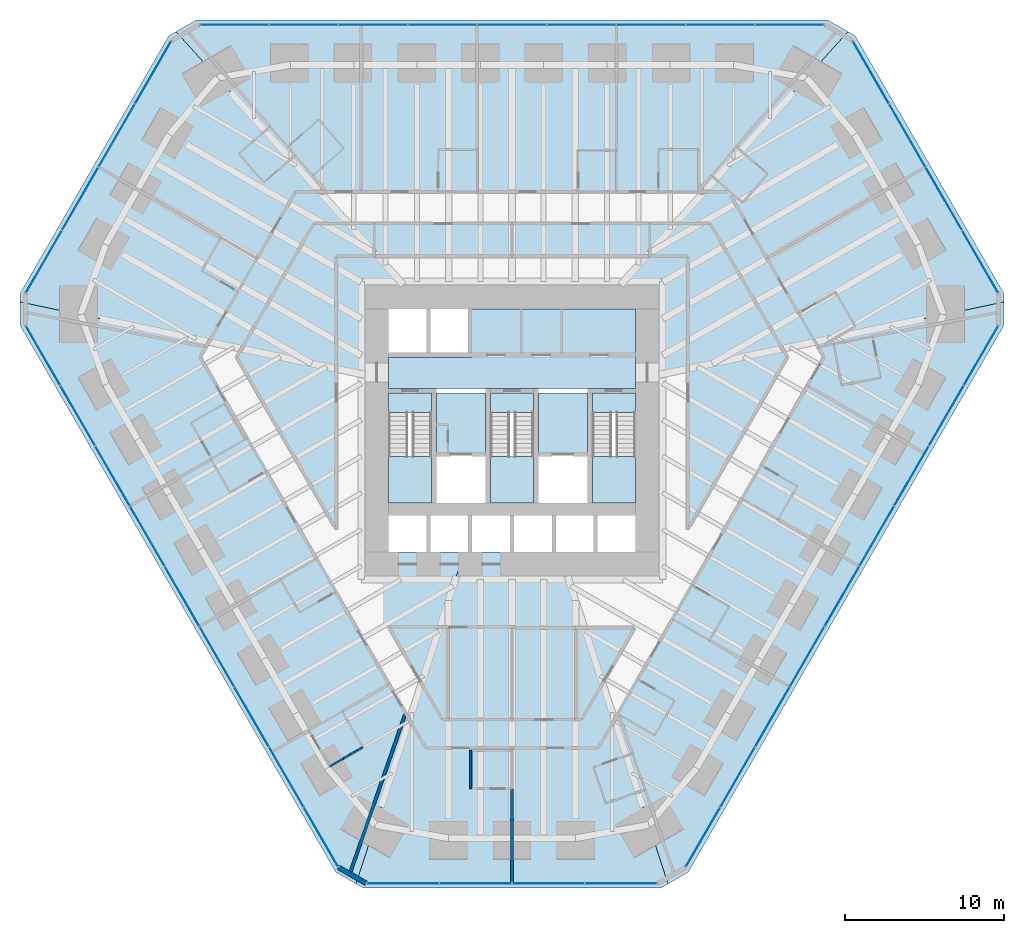
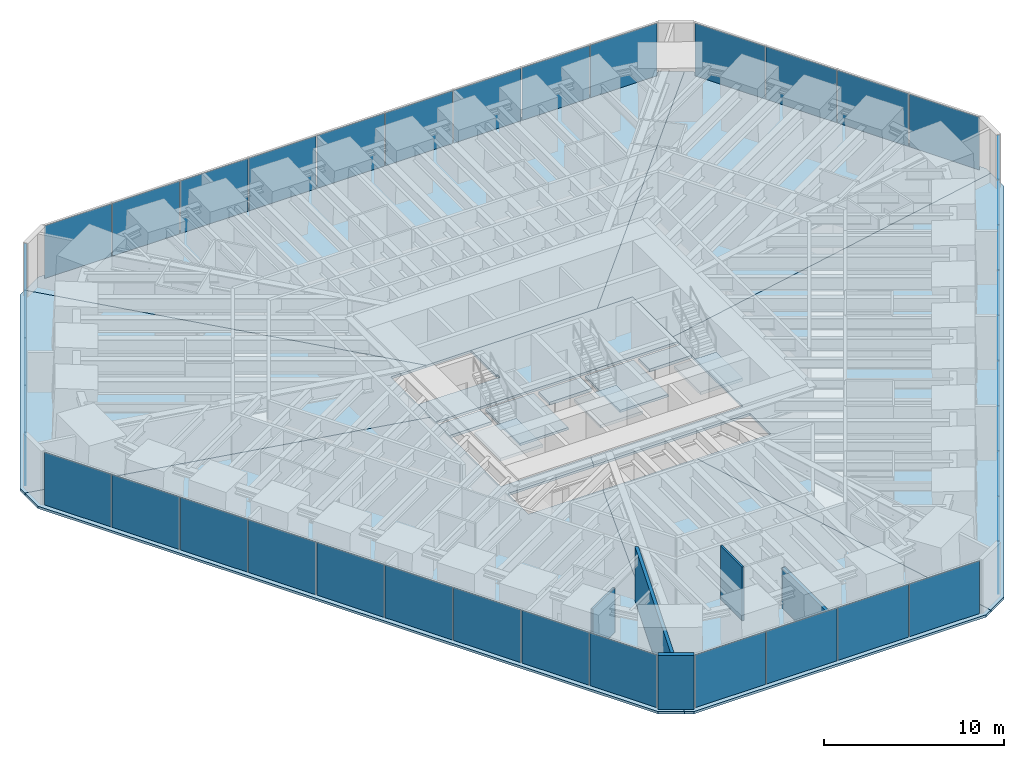
# One storey, part 10 of 17: 39 plates, 15 slabs, 5 walls, 9 elements without a shape of their own.
"""IFC4 building model written with IfcOpenShell, lengths in metres."""

from ifc_helpers import new_model, si_unit, direction, frame, frame_2d, origin, origin_2d, place, context, subcontext, project, spatial, polyline, rectangle, outline, extrude, material, layer, layer_set, type_object, element, aggregate, save


model = new_model("IFC4")

# Units and contexts
model_context = context("Model", 3, precision=1e-05, world=origin(), true_north=direction((0.0, 1.0)))
body_context = subcontext(model_context, "Body", "Model", "MODEL_VIEW")
ifc_project = project(units=[si_unit("LENGTHUNIT", "METRE"), si_unit("AREAUNIT", "SQUARE_METRE"), si_unit("VOLUMEUNIT", "CUBIC_METRE"), si_unit("PLANEANGLEUNIT", "RADIAN"), si_unit("MASSUNIT", "GRAM", prefix="KILO")], contexts=[model_context])

# Site, building, storey
site_placement = place(None, origin())
site = spatial("IfcSite", under=ifc_project, at=site_placement, CompositionType="ELEMENT")
building_placement = place(site_placement, origin())
building = spatial("IfcBuilding", under=site, at=building_placement, Name="Sandreach Pilgrim Tower", CompositionType="ELEMENT")
storey_placement = place(building_placement, frame((0.0, 0.0, 87.60009765625)))
storey = spatial("IfcBuildingStorey", under=building, at=storey_placement, Name="L21", CompositionType="ELEMENT", Elevation=87.60009765625)

# Curtain wall, plates
ifc_material_1 = material(Name="Aluminium framed curtain wall", Category="aluminium")
curtain_wall_type = type_object("IfcCurtainWallType", Name="Hostel tower curtain wall", PredefinedType="NOTDEFINED", material=ifc_material_1)
curtain_wall_1_placement = place(storey_placement, origin())
curtain_wall_1 = element("IfcCurtainWall", 1, at=curtain_wall_1_placement, inside=storey, type_object=curtain_wall_type, Name="CW-1 L21 N", PredefinedType="NOTDEFINED")
ifc_material_2 = material(Name="Insulating glass unit 6 heat-strengthened + 12 argon + 6 heat-strengthened", Category="glass")
ifc_layer_1 = layer(ifc_material_2, 0.02392578125)
ifc_layer_set_1 = layer_set([ifc_layer_1], Name="CW-1 panel")
plate_type = type_object("IfcPlateType", Name="CW-1 panel", PredefinedType="CURTAIN_PANEL", material=ifc_layer_set_1)
plate_1_placement = place(storey_placement, frame((-17.469970703125, 23.94873046875, 0.0), z_axis=(0.0, 0.0, 1.0), x_axis=(1.0, 0.0, 0.0)))
plate_1 = element("IfcPlate", 2, at=plate_1_placement, type_object=plate_type, Name="CW-1 panel 1", PredefinedType="CURTAIN_PANEL", context=body_context, shape_type="SweptSolid", body=[
    extrude(rectangle(XDim=4.274169921875, YDim=0.02392578125, at=origin_2d()), origin(), (0.0, 0.0, 1.0), 3.570068359375),
])
plate_2_placement = place(storey_placement, frame((-13.11474609375, 23.94873046875, 0.0), z_axis=(0.0, 0.0, 1.0), x_axis=(1.0, 0.0, 0.0)))
plate_2 = element("IfcPlate", 3, at=plate_2_placement, type_object=plate_type, Name="CW-1 panel 2", PredefinedType="CURTAIN_PANEL", context=body_context, shape_type="SweptSolid", body=[
    extrude(rectangle(XDim=4.306640625, YDim=0.02392578125, at=origin_2d()), origin(), (0.0, 0.0, 1.0), 3.570068359375),
])
plate_3_placement = place(storey_placement, frame((-8.7431640625, 23.94873046875, 0.0), z_axis=(0.0, 0.0, 1.0), x_axis=(1.0, 0.0, 0.0)))
plate_3 = element("IfcPlate", 4, at=plate_3_placement, type_object=plate_type, Name="CW-1 panel 3", PredefinedType="CURTAIN_PANEL", context=body_context, shape_type="SweptSolid", body=[
    extrude(rectangle(XDim=4.306640625, YDim=0.02392578125, at=origin_2d()), origin(), (0.0, 0.0, 1.0), 3.570068359375),
])
plate_4_placement = place(storey_placement, frame((-4.37158203125, 23.94873046875, 0.0), z_axis=(0.0, 0.0, 1.0), x_axis=(1.0, 0.0, 0.0)))
plate_4 = element("IfcPlate", 5, at=plate_4_placement, type_object=plate_type, Name="CW-1 panel 4", PredefinedType="CURTAIN_PANEL", context=body_context, shape_type="SweptSolid", body=[
    extrude(rectangle(XDim=4.306640625, YDim=0.02392578125, at=origin_2d()), origin(), (0.0, 0.0, 1.0), 3.570068359375),
])
plate_5_placement = place(storey_placement, frame((0.0, 23.94873046875, 0.0), z_axis=(0.0, 0.0, 1.0), x_axis=(1.0, 0.0, 0.0)))
plate_5 = element("IfcPlate", 6, at=plate_5_placement, type_object=plate_type, Name="CW-1 panel 5", PredefinedType="CURTAIN_PANEL", context=body_context, shape_type="SweptSolid", body=[
    extrude(rectangle(XDim=4.306640625, YDim=0.02392578125, at=origin_2d()), origin(), (0.0, 0.0, 1.0), 3.570068359375),
])
plate_6_placement = place(storey_placement, frame((4.37158203125, 23.94873046875, 0.0), z_axis=(0.0, 0.0, 1.0), x_axis=(1.0, 0.0, 0.0)))
plate_6 = element("IfcPlate", 7, at=plate_6_placement, type_object=plate_type, Name="CW-1 panel 6", PredefinedType="CURTAIN_PANEL", context=body_context, shape_type="SweptSolid", body=[
    extrude(rectangle(XDim=4.306640625, YDim=0.02392578125, at=origin_2d()), origin(), (0.0, 0.0, 1.0), 3.570068359375),
])
plate_7_placement = place(storey_placement, frame((8.7431640625, 23.94873046875, 0.0), z_axis=(0.0, 0.0, 1.0), x_axis=(1.0, 0.0, 0.0)))
plate_7 = element("IfcPlate", 8, at=plate_7_placement, type_object=plate_type, Name="CW-1 panel 7", PredefinedType="CURTAIN_PANEL", context=body_context, shape_type="SweptSolid", body=[
    extrude(rectangle(XDim=4.306640625, YDim=0.02392578125, at=origin_2d()), origin(), (0.0, 0.0, 1.0), 3.570068359375),
])
plate_8_placement = place(storey_placement, frame((13.11474609375, 23.94873046875, 0.0), z_axis=(0.0, 0.0, 1.0), x_axis=(1.0, 0.0, 0.0)))
plate_8 = element("IfcPlate", 9, at=plate_8_placement, type_object=plate_type, Name="CW-1 panel 8", PredefinedType="CURTAIN_PANEL", context=body_context, shape_type="SweptSolid", body=[
    extrude(rectangle(XDim=4.306640625, YDim=0.02392578125, at=origin_2d()), origin(), (0.0, 0.0, 1.0), 3.570068359375),
])
plate_9_placement = place(storey_placement, frame((17.469970703125, 23.94873046875, 0.0), z_axis=(0.0, 0.0, 1.0), x_axis=(1.0, 0.0, 0.0)))
plate_9 = element("IfcPlate", 10, at=plate_9_placement, type_object=plate_type, Name="CW-1 panel 9", PredefinedType="CURTAIN_PANEL", context=body_context, shape_type="SweptSolid", body=[
    extrude(rectangle(XDim=4.274169921875, YDim=0.02392578125, at=origin_2d()), origin(), (0.0, 0.0, 1.0), 3.570068359375),
])
aggregate(curtain_wall_1, [plate_1, plate_2, plate_3, plate_4, plate_5, plate_6, plate_7, plate_8, plate_9])

curtain_wall_2_placement = place(storey_placement, origin())
curtain_wall_2 = element("IfcCurtainWall", 11, at=curtain_wall_2_placement, inside=storey, type_object=curtain_wall_type, Name="CW-1 L21 NE", PredefinedType="NOTDEFINED")
plate_10_placement = place(storey_placement, frame((22.558837890625, 20.94873046875, 0.0), z_axis=(0.0, 0.0, 1.0), x_axis=(0.5, -0.866025403784, 0.0)))
plate_10 = element("IfcPlate", 12, at=plate_10_placement, type_object=plate_type, Name="CW-1 panel 1", PredefinedType="CURTAIN_PANEL", context=body_context, shape_type="SweptSolid", body=[
    extrude(rectangle(XDim=4.488525390625, YDim=0.02392578125, at=origin_2d()), origin(), (0.0, 0.0, 1.0), 3.570068359375),
])
plate_11_placement = place(storey_placement, frame((24.84375, 16.9912109375, 0.0), z_axis=(0.0, 0.0, 1.0), x_axis=(0.5, -0.866025403784, 0.0)))
plate_11 = element("IfcPlate", 13, at=plate_11_placement, type_object=plate_type, Name="CW-1 panel 2", PredefinedType="CURTAIN_PANEL", context=body_context, shape_type="SweptSolid", body=[
    extrude(rectangle(XDim=4.52099609375, YDim=0.02392578125, at=origin_2d()), origin(), (0.0, 0.0, 1.0), 3.570068359375),
])
plate_12_placement = place(storey_placement, frame((27.13671875, 13.01953125, 0.0), z_axis=(0.0, 0.0, 1.0), x_axis=(0.5, -0.866025403784, 0.0)))
plate_12 = element("IfcPlate", 14, at=plate_12_placement, type_object=plate_type, Name="CW-1 panel 3", PredefinedType="CURTAIN_PANEL", context=body_context, shape_type="SweptSolid", body=[
    extrude(rectangle(XDim=4.52099609375, YDim=0.02392578125, at=origin_2d()), origin(), (0.0, 0.0, 1.0), 3.570068359375),
])
plate_13_placement = place(storey_placement, frame((29.421630859375, 9.06201171875, 0.0), z_axis=(0.0, 0.0, 1.0), x_axis=(0.5, -0.866025403784, 0.0)))
plate_13 = element("IfcPlate", 15, at=plate_13_placement, type_object=plate_type, Name="CW-1 panel 4", PredefinedType="CURTAIN_PANEL", context=body_context, shape_type="SweptSolid", body=[
    extrude(rectangle(XDim=4.488525390625, YDim=0.02392578125, at=origin_2d()), origin(), (0.0, 0.0, 1.0), 3.570068359375),
])
aggregate(curtain_wall_2, [plate_10, plate_11, plate_12, plate_13])

curtain_wall_3_placement = place(storey_placement, origin())
curtain_wall_3 = element("IfcCurtainWall", 16, at=curtain_wall_3_placement, inside=storey, type_object=curtain_wall_type, Name="CW-1 L21 SE", PredefinedType="NOTDEFINED")
plate_14_placement = place(storey_placement, frame((29.475341796875, 3.1552734375, 0.0), z_axis=(0.0, 0.0, 1.0), x_axis=(-0.5, -0.866025403784, 0.0)))
plate_14 = element("IfcPlate", 17, at=plate_14_placement, type_object=plate_type, Name="CW-1 panel 1", PredefinedType="CURTAIN_PANEL", context=body_context, shape_type="SweptSolid", body=[
    extrude(rectangle(XDim=4.274169921875, YDim=0.02392578125, at=origin_2d()), origin(), (0.0, 0.0, 1.0), 3.570068359375),
])
plate_15_placement = place(storey_placement, frame((27.297607421875, -0.61669921875, 0.0), z_axis=(0.0, 0.0, 1.0), x_axis=(-0.5, -0.866025403784, 0.0)))
plate_15 = element("IfcPlate", 18, at=plate_15_placement, type_object=plate_type, Name="CW-1 panel 2", PredefinedType="CURTAIN_PANEL", context=body_context, shape_type="SweptSolid", body=[
    extrude(rectangle(XDim=4.306640625, YDim=0.02392578125, at=origin_2d()), origin(), (0.0, 0.0, 1.0), 3.570068359375),
])
plate_16_placement = place(storey_placement, frame((25.11181640625, -4.402587890625, 0.0), z_axis=(0.0, 0.0, 1.0), x_axis=(-0.5, -0.866025403784, 0.0)))
plate_16 = element("IfcPlate", 19, at=plate_16_placement, type_object=plate_type, Name="CW-1 panel 3", PredefinedType="CURTAIN_PANEL", context=body_context, shape_type="SweptSolid", body=[
    extrude(rectangle(XDim=4.306640625, YDim=0.02392578125, at=origin_2d()), origin(), (0.0, 0.0, 1.0), 3.570068359375),
])
plate_17_placement = place(storey_placement, frame((22.926025390625, -8.1884765625, 0.0), z_axis=(0.0, 0.0, 1.0), x_axis=(-0.5, -0.866025403784, 0.0)))
plate_17 = element("IfcPlate", 20, at=plate_17_placement, type_object=plate_type, Name="CW-1 panel 4", PredefinedType="CURTAIN_PANEL", context=body_context, shape_type="SweptSolid", body=[
    extrude(rectangle(XDim=4.306640625, YDim=0.02392578125, at=origin_2d()), origin(), (0.0, 0.0, 1.0), 3.570068359375),
])
plate_18_placement = place(storey_placement, frame((20.740234375, -11.974365234375, 0.0), z_axis=(0.0, 0.0, 1.0), x_axis=(-0.5, -0.866025403784, 0.0)))
plate_18 = element("IfcPlate", 21, at=plate_18_placement, type_object=plate_type, Name="CW-1 panel 5", PredefinedType="CURTAIN_PANEL", context=body_context, shape_type="SweptSolid", body=[
    extrude(rectangle(XDim=4.306640625, YDim=0.02392578125, at=origin_2d()), origin(), (0.0, 0.0, 1.0), 3.570068359375),
])
plate_19_placement = place(storey_placement, frame((18.554443359375, -15.76025390625, 0.0), z_axis=(0.0, 0.0, 1.0), x_axis=(-0.5, -0.866025403784, 0.0)))
plate_19 = element("IfcPlate", 22, at=plate_19_placement, type_object=plate_type, Name="CW-1 panel 6", PredefinedType="CURTAIN_PANEL", context=body_context, shape_type="SweptSolid", body=[
    extrude(rectangle(XDim=4.306640625, YDim=0.02392578125, at=origin_2d()), origin(), (0.0, 0.0, 1.0), 3.570068359375),
])
plate_20_placement = place(storey_placement, frame((16.36865234375, -19.546142578125, 0.0), z_axis=(0.0, 0.0, 1.0), x_axis=(-0.5, -0.866025403784, 0.0)))
plate_20 = element("IfcPlate", 23, at=plate_20_placement, type_object=plate_type, Name="CW-1 panel 7", PredefinedType="CURTAIN_PANEL", context=body_context, shape_type="SweptSolid", body=[
    extrude(rectangle(XDim=4.306640625, YDim=0.02392578125, at=origin_2d()), origin(), (0.0, 0.0, 1.0), 3.570068359375),
])
plate_21_placement = place(storey_placement, frame((14.182861328125, -23.33203125, 0.0), z_axis=(0.0, 0.0, 1.0), x_axis=(-0.5, -0.866025403784, 0.0)))
plate_21 = element("IfcPlate", 24, at=plate_21_placement, type_object=plate_type, Name="CW-1 panel 8", PredefinedType="CURTAIN_PANEL", context=body_context, shape_type="SweptSolid", body=[
    extrude(rectangle(XDim=4.306640625, YDim=0.02392578125, at=origin_2d()), origin(), (0.0, 0.0, 1.0), 3.570068359375),
])
plate_22_placement = place(storey_placement, frame((12.005126953125, -27.103759765625, 0.0), z_axis=(0.0, 0.0, 1.0), x_axis=(-0.5, -0.866025403784, 0.0)))
plate_22 = element("IfcPlate", 25, at=plate_22_placement, type_object=plate_type, Name="CW-1 panel 9", PredefinedType="CURTAIN_PANEL", context=body_context, shape_type="SweptSolid", body=[
    extrude(rectangle(XDim=4.274169921875, YDim=0.02392578125, at=origin_2d()), origin(), (0.0, 0.0, 1.0), 3.570068359375),
])
aggregate(curtain_wall_3, [plate_14, plate_15, plate_16, plate_17, plate_18, plate_19, plate_20, plate_21, plate_22])

curtain_wall_4_placement = place(storey_placement, origin())
curtain_wall_4 = element("IfcCurtainWall", 26, at=curtain_wall_4_placement, inside=storey, type_object=curtain_wall_type, Name="CW-1 L21 S", PredefinedType="NOTDEFINED")
plate_23_placement = place(storey_placement, frame((6.86279296875, -30.010986328125, 0.0), z_axis=(0.0, 0.0, 1.0), x_axis=(-1.0, 0.0, 0.0)))
plate_23 = element("IfcPlate", 27, at=plate_23_placement, type_object=plate_type, Name="CW-1 panel 1", PredefinedType="CURTAIN_PANEL", context=body_context, shape_type="SweptSolid", body=[
    extrude(rectangle(XDim=4.488525390625, YDim=0.02392578125, at=origin_2d()), origin(), (0.0, 0.0, 1.0), 3.570068359375),
])
plate_24_placement = place(storey_placement, frame((2.29296875, -30.010986328125, 0.0), z_axis=(0.0, 0.0, 1.0), x_axis=(-1.0, 0.0, 0.0)))
plate_24 = element("IfcPlate", 28, at=plate_24_placement, type_object=plate_type, Name="CW-1 panel 2", PredefinedType="CURTAIN_PANEL", context=body_context, shape_type="SweptSolid", body=[
    extrude(rectangle(XDim=4.52099609375, YDim=0.02392578125, at=origin_2d()), origin(), (0.0, 0.0, 1.0), 3.570068359375),
])
plate_25_placement = place(storey_placement, frame((-2.29296875, -30.010986328125, 0.0), z_axis=(0.0, 0.0, 1.0), x_axis=(-1.0, 0.0, 0.0)))
plate_25 = element("IfcPlate", 29, at=plate_25_placement, type_object=plate_type, Name="CW-1 panel 3", PredefinedType="CURTAIN_PANEL", context=body_context, shape_type="SweptSolid", body=[
    extrude(rectangle(XDim=4.52099609375, YDim=0.02392578125, at=origin_2d()), origin(), (0.0, 0.0, 1.0), 3.570068359375),
])
plate_26_placement = place(storey_placement, frame((-6.86279296875, -30.010986328125, 0.0), z_axis=(0.0, 0.0, 1.0), x_axis=(-1.0, 0.0, 0.0)))
plate_26 = element("IfcPlate", 30, at=plate_26_placement, type_object=plate_type, Name="CW-1 panel 4", PredefinedType="CURTAIN_PANEL", context=body_context, shape_type="SweptSolid", body=[
    extrude(rectangle(XDim=4.488525390625, YDim=0.02392578125, at=origin_2d()), origin(), (0.0, 0.0, 1.0), 3.570068359375),
])
aggregate(curtain_wall_4, [plate_23, plate_24, plate_25, plate_26])

curtain_wall_5_placement = place(storey_placement, origin())
curtain_wall_5 = element("IfcCurtainWall", 31, at=curtain_wall_5_placement, inside=storey, type_object=curtain_wall_type, Name="CW-1 L21 SW", PredefinedType="NOTDEFINED")
plate_27_placement = place(storey_placement, frame((-12.005126953125, -27.103759765625, 0.0), z_axis=(0.0, 0.0, 1.0), x_axis=(-0.5, 0.866025403784, 0.0)))
plate_27 = element("IfcPlate", 32, at=plate_27_placement, type_object=plate_type, Name="CW-1 panel 1", PredefinedType="CURTAIN_PANEL", context=body_context, shape_type="SweptSolid", body=[
    extrude(rectangle(XDim=4.274169921875, YDim=0.02392578125, at=origin_2d()), origin(), (0.0, 0.0, 1.0), 3.570068359375),
])
plate_28_placement = place(storey_placement, frame((-14.182861328125, -23.33203125, 0.0), z_axis=(0.0, 0.0, 1.0), x_axis=(-0.5, 0.866025403784, 0.0)))
plate_28 = element("IfcPlate", 33, at=plate_28_placement, type_object=plate_type, Name="CW-1 panel 2", PredefinedType="CURTAIN_PANEL", context=body_context, shape_type="SweptSolid", body=[
    extrude(rectangle(XDim=4.306640625, YDim=0.02392578125, at=origin_2d()), origin(), (0.0, 0.0, 1.0), 3.570068359375),
])
plate_29_placement = place(storey_placement, frame((-16.36865234375, -19.546142578125, 0.0), z_axis=(0.0, 0.0, 1.0), x_axis=(-0.5, 0.866025403784, 0.0)))
plate_29 = element("IfcPlate", 34, at=plate_29_placement, type_object=plate_type, Name="CW-1 panel 3", PredefinedType="CURTAIN_PANEL", context=body_context, shape_type="SweptSolid", body=[
    extrude(rectangle(XDim=4.306640625, YDim=0.02392578125, at=origin_2d()), origin(), (0.0, 0.0, 1.0), 3.570068359375),
])
plate_30_placement = place(storey_placement, frame((-18.554443359375, -15.76025390625, 0.0), z_axis=(0.0, 0.0, 1.0), x_axis=(-0.5, 0.866025403784, 0.0)))
plate_30 = element("IfcPlate", 35, at=plate_30_placement, type_object=plate_type, Name="CW-1 panel 4", PredefinedType="CURTAIN_PANEL", context=body_context, shape_type="SweptSolid", body=[
    extrude(rectangle(XDim=4.306640625, YDim=0.02392578125, at=origin_2d()), origin(), (0.0, 0.0, 1.0), 3.570068359375),
])
plate_31_placement = place(storey_placement, frame((-20.740234375, -11.974365234375, 0.0), z_axis=(0.0, 0.0, 1.0), x_axis=(-0.5, 0.866025403784, 0.0)))
plate_31 = element("IfcPlate", 36, at=plate_31_placement, type_object=plate_type, Name="CW-1 panel 5", PredefinedType="CURTAIN_PANEL", context=body_context, shape_type="SweptSolid", body=[
    extrude(rectangle(XDim=4.306640625, YDim=0.02392578125, at=origin_2d()), origin(), (0.0, 0.0, 1.0), 3.570068359375),
])
plate_32_placement = place(storey_placement, frame((-22.926025390625, -8.1884765625, 0.0), z_axis=(0.0, 0.0, 1.0), x_axis=(-0.5, 0.866025403784, 0.0)))
plate_32 = element("IfcPlate", 37, at=plate_32_placement, type_object=plate_type, Name="CW-1 panel 6", PredefinedType="CURTAIN_PANEL", context=body_context, shape_type="SweptSolid", body=[
    extrude(rectangle(XDim=4.306640625, YDim=0.02392578125, at=origin_2d()), origin(), (0.0, 0.0, 1.0), 3.570068359375),
])
plate_33_placement = place(storey_placement, frame((-25.11181640625, -4.402587890625, 0.0), z_axis=(0.0, 0.0, 1.0), x_axis=(-0.5, 0.866025403784, 0.0)))
plate_33 = element("IfcPlate", 38, at=plate_33_placement, type_object=plate_type, Name="CW-1 panel 7", PredefinedType="CURTAIN_PANEL", context=body_context, shape_type="SweptSolid", body=[
    extrude(rectangle(XDim=4.306640625, YDim=0.02392578125, at=origin_2d()), origin(), (0.0, 0.0, 1.0), 3.570068359375),
])
plate_34_placement = place(storey_placement, frame((-27.297607421875, -0.61669921875, 0.0), z_axis=(0.0, 0.0, 1.0), x_axis=(-0.5, 0.866025403784, 0.0)))
plate_34 = element("IfcPlate", 39, at=plate_34_placement, type_object=plate_type, Name="CW-1 panel 8", PredefinedType="CURTAIN_PANEL", context=body_context, shape_type="SweptSolid", body=[
    extrude(rectangle(XDim=4.306640625, YDim=0.02392578125, at=origin_2d()), origin(), (0.0, 0.0, 1.0), 3.570068359375),
])
plate_35_placement = place(storey_placement, frame((-29.475341796875, 3.1552734375, 0.0), z_axis=(0.0, 0.0, 1.0), x_axis=(-0.5, 0.866025403784, 0.0)))
plate_35 = element("IfcPlate", 40, at=plate_35_placement, type_object=plate_type, Name="CW-1 panel 9", PredefinedType="CURTAIN_PANEL", context=body_context, shape_type="SweptSolid", body=[
    extrude(rectangle(XDim=4.274169921875, YDim=0.02392578125, at=origin_2d()), origin(), (0.0, 0.0, 1.0), 3.570068359375),
])
aggregate(curtain_wall_5, [plate_27, plate_28, plate_29, plate_30, plate_31, plate_32, plate_33, plate_34, plate_35])

curtain_wall_6_placement = place(storey_placement, origin())
curtain_wall_6 = element("IfcCurtainWall", 41, at=curtain_wall_6_placement, inside=storey, type_object=curtain_wall_type, Name="CW-1 L21 NW", PredefinedType="NOTDEFINED")
plate_36_placement = place(storey_placement, frame((-29.421630859375, 9.06201171875, 0.0), z_axis=(0.0, 0.0, 1.0), x_axis=(0.5, 0.866025403784, 0.0)))
plate_36 = element("IfcPlate", 42, at=plate_36_placement, type_object=plate_type, Name="CW-1 panel 1", PredefinedType="CURTAIN_PANEL", context=body_context, shape_type="SweptSolid", body=[
    extrude(rectangle(XDim=4.488525390625, YDim=0.02392578125, at=origin_2d()), origin(), (0.0, 0.0, 1.0), 3.570068359375),
])
plate_37_placement = place(storey_placement, frame((-27.13671875, 13.01953125, 0.0), z_axis=(0.0, 0.0, 1.0), x_axis=(0.5, 0.866025403784, 0.0)))
plate_37 = element("IfcPlate", 43, at=plate_37_placement, type_object=plate_type, Name="CW-1 panel 2", PredefinedType="CURTAIN_PANEL", context=body_context, shape_type="SweptSolid", body=[
    extrude(rectangle(XDim=4.52099609375, YDim=0.02392578125, at=origin_2d()), origin(), (0.0, 0.0, 1.0), 3.570068359375),
])
plate_38_placement = place(storey_placement, frame((-24.84375, 16.9912109375, 0.0), z_axis=(0.0, 0.0, 1.0), x_axis=(0.5, 0.866025403784, 0.0)))
plate_38 = element("IfcPlate", 44, at=plate_38_placement, type_object=plate_type, Name="CW-1 panel 3", PredefinedType="CURTAIN_PANEL", context=body_context, shape_type="SweptSolid", body=[
    extrude(rectangle(XDim=4.52099609375, YDim=0.02392578125, at=origin_2d()), origin(), (0.0, 0.0, 1.0), 3.570068359375),
])
plate_39_placement = place(storey_placement, frame((-22.558837890625, 20.94873046875, 0.0), z_axis=(0.0, 0.0, 1.0), x_axis=(0.5, 0.866025403784, 0.0)))
plate_39 = element("IfcPlate", 45, at=plate_39_placement, type_object=plate_type, Name="CW-1 panel 4", PredefinedType="CURTAIN_PANEL", context=body_context, shape_type="SweptSolid", body=[
    extrude(rectangle(XDim=4.488525390625, YDim=0.02392578125, at=origin_2d()), origin(), (0.0, 0.0, 1.0), 3.570068359375),
])
aggregate(curtain_wall_6, [plate_36, plate_37, plate_38, plate_39])

# Slabs
ifc_material_3 = material(Name="Concrete 8000 psi", Category="concrete")
ifc_layer_2 = layer(ifc_material_3, 0.159912109375)
ifc_layer_set_2 = layer_set([ifc_layer_2], Name="Composite floor slab 160")
slab_type_1 = type_object("IfcSlabType", Name="Composite floor slab 160", PredefinedType="FLOOR", material=ifc_layer_set_2)
slab_1_placement = place(storey_placement, frame((0.0, 0.0, -0.16015625)))
element("IfcSlab", 46, at=slab_1_placement, inside=storey, type_object=slab_type_1, Name="Floor slab L21 N sector", PredefinedType="FLOOR", context=body_context, shape_type="SweptSolid", body=[
    extrude(outline(polyline([(-19.84521484375, 24.248779296875), (19.84521484375, 24.248779296875), (21.115478515625, 23.515380859375), (5.477294921875, 6.10009765625), (-5.477294921875, 6.10009765625), (-21.115478515625, 23.515380859375), (-19.84521484375, 24.248779296875)])), origin(), (0.0, 0.0, 1.0), 0.16015625),
])
slab_2_placement = place(storey_placement, frame((0.0, 0.0, -0.16015625)))
element("IfcSlab", 47, at=slab_2_placement, inside=storey, type_object=slab_type_1, Name="Floor slab L21 NE sector", PredefinedType="FLOOR", context=body_context, shape_type="SweptSolid", body=[
    extrude(outline(polyline([(21.577392578125, 23.248779296875), (30.922607421875, 7.062255859375), (30.922607421875, 6.52880859375), (7.75, 1.63623046875), (7.75, 6.10009765625), (5.477294921875, 6.10009765625), (21.115478515625, 23.515380859375), (21.577392578125, 23.248779296875)])), origin(), (0.0, 0.0, 1.0), 0.16015625),
])
slab_3_placement = place(storey_placement, frame((0.0, 0.0, -0.16015625)))
element("IfcSlab", 48, at=slab_3_placement, inside=storey, type_object=slab_type_1, Name="Floor slab L21 SE sector", PredefinedType="FLOOR", context=body_context, shape_type="SweptSolid", body=[
    extrude(outline(polyline([(11.077392578125, -29.310791015625), (9.80712890625, -30.044189453125), (3.003173828125, -9.199951171875), (7.75, -9.199951171875), (7.75, -6.89990234375), (-2.252197265625, -6.89990234375), (-1.9912109375, -6.10009765625), (7.75, -6.10009765625), (7.75, 1.63623046875), (30.922607421875, 6.52880859375), (30.922607421875, 5.062255859375), (11.077392578125, -29.310791015625)])), origin(), (0.0, 0.0, 1.0), 0.16015625),
])
slab_4_placement = place(storey_placement, frame((0.0, 0.0, -0.16015625)))
element("IfcSlab", 49, at=slab_4_placement, inside=storey, type_object=slab_type_1, Name="Floor slab L21 S sector", PredefinedType="FLOOR", context=body_context, shape_type="SweptSolid", body=[
    extrude(outline(polyline([(9.34521484375, -30.310791015625), (-9.34521484375, -30.310791015625), (-9.80712890625, -30.044189453125), (-3.003173828125, -9.199951171875), (3.003173828125, -9.199951171875), (9.80712890625, -30.044189453125), (9.34521484375, -30.310791015625)])), origin(), (0.0, 0.0, 1.0), 0.16015625),
])
slab_5_placement = place(storey_placement, frame((0.0, 0.0, -0.16015625)))
element("IfcSlab", 50, at=slab_5_placement, inside=storey, type_object=slab_type_1, Name="Floor slab L21 SW sector", PredefinedType="FLOOR", context=body_context, shape_type="SweptSolid", body=[
    extrude(outline(polyline([(-11.077392578125, -29.310791015625), (-30.922607421875, 5.062255859375), (-30.922607421875, 6.52880859375), (-7.75, 1.63623046875), (-7.75, -6.10009765625), (-1.9912109375, -6.10009765625), (-2.252197265625, -6.89990234375), (-7.75, -6.89990234375), (-7.75, -9.199951171875), (-3.003173828125, -9.199951171875), (-9.80712890625, -30.044189453125), (-11.077392578125, -29.310791015625)])), origin(), (0.0, 0.0, 1.0), 0.16015625),
])
slab_6_placement = place(storey_placement, frame((0.0, 0.0, -0.16015625)))
element("IfcSlab", 51, at=slab_6_placement, inside=storey, type_object=slab_type_1, Name="Floor slab L21 NW sector", PredefinedType="FLOOR", context=body_context, shape_type="SweptSolid", body=[
    extrude(outline(polyline([(-30.922607421875, 7.062255859375), (-21.577392578125, 23.248779296875), (-21.115478515625, 23.515380859375), (-5.477294921875, 6.10009765625), (-7.75, 6.10009765625), (-7.75, 1.63623046875), (-30.922607421875, 6.52880859375), (-30.922607421875, 7.062255859375)])), origin(), (0.0, 0.0, 1.0), 0.16015625),
])
slab_7_placement = place(storey_placement, frame((0.0, 0.0, -0.16015625)))
element("IfcSlab", 52, at=slab_7_placement, inside=storey, type_object=slab_type_1, Name="Core floor slab and stores L21", PredefinedType="FLOOR", context=body_context, shape_type="SweptSolid", body=[
    extrude(outline(polyline([(-7.75, 3.050048828125), (-5.375, 3.050048828125), (-5.125, 3.050048828125), (-2.5, 3.050048828125), (-2.5, 3.35009765625), (-2.60009765625, 3.35009765625), (-2.60009765625, 6.10009765625), (7.75, 6.10009765625), (7.75, 1.10009765625), (5.050048828125, 1.10009765625), (4.75, 1.10009765625), (1.64990234375, 1.10009765625), (1.35009765625, 1.10009765625), (-1.35009765625, 1.10009765625), (-1.64990234375, 1.10009765625), (-4.75, 1.10009765625), (-5.050048828125, 1.10009765625), (-7.75, 1.10009765625), (-7.75, 3.050048828125)])), origin(), (0.0, 0.0, 1.0), 0.16015625),
])
slab_8_placement = place(storey_placement, frame((0.0, 0.0, -0.16015625)))
element("IfcSlab", 53, at=slab_8_placement, inside=storey, type_object=slab_type_1, Name="Core floor slab and stores L21 2", PredefinedType="FLOOR", context=body_context, shape_type="SweptSolid", body=[
    extrude(outline(polyline([(-1.64990234375, -3.050048828125), (-4.75, -3.050048828125), (-4.75, 0.800048828125), (-1.64990234375, 0.800048828125), (-1.64990234375, -3.050048828125)])), origin(), (0.0, 0.0, 1.0), 0.16015625),
])
slab_9_placement = place(storey_placement, frame((0.0, 0.0, -0.16015625)))
element("IfcSlab", 54, at=slab_9_placement, inside=storey, type_object=slab_type_1, Name="Core floor slab and stores L21 3", PredefinedType="FLOOR", context=body_context, shape_type="SweptSolid", body=[
    extrude(outline(polyline([(4.75, -3.050048828125), (1.64990234375, -3.050048828125), (1.64990234375, 0.800048828125), (4.75, 0.800048828125), (4.75, -3.050048828125)])), origin(), (0.0, 0.0, 1.0), 0.16015625),
])

# Stair, slabs
ifc_material_4 = material(Name="Concrete 8000 psi", Category="concrete")
stair_type = type_object("IfcStairType", Name="Core exit stair", PredefinedType="HALF_TURN_STAIR", material=ifc_material_4)
stair_1_placement = place(storey_placement, origin())
stair_1 = element("IfcStair", 55, at=stair_1_placement, inside=storey, type_object=stair_type, Name="Exit stair ST1 L21", PredefinedType="HALF_TURN_STAIR")
ifc_material_5 = material(Name="Concrete 8000 psi", Category="concrete")
ifc_layer_3 = layer(ifc_material_5, 0.199951171875)
ifc_layer_set_3 = layer_set([ifc_layer_3], Name="Core stair landing 200")
slab_type_2 = type_object("IfcSlabType", Name="Core stair landing 200", PredefinedType="LANDING", material=ifc_layer_set_3)
slab_10_placement = place(storey_placement, frame((0.0, 0.0, -0.2001953125)))
slab_10 = element("IfcSlab", 56, at=slab_10_placement, type_object=slab_type_2, Name="ST1 landing 1", PredefinedType="LANDING", context=body_context, shape_type="SweptSolid", body=[
    extrude(outline(polyline([(-7.75, -0.425048828125), (-5.050048828125, -0.425048828125), (-5.050048828125, 0.800048828125), (-7.75, 0.800048828125), (-7.75, -0.425048828125)])), origin(), (0.0, 0.0, 1.0), 0.2001953125),
])
slab_11_placement = place(storey_placement, frame((0.0, 0.0, 1.699951171875)))
slab_11 = element("IfcSlab", 57, at=slab_11_placement, type_object=slab_type_2, Name="ST1 landing 2", PredefinedType="LANDING", context=body_context, shape_type="SweptSolid", body=[
    extrude(outline(polyline([(-7.75, -6.10009765625), (-5.050048828125, -6.10009765625), (-5.050048828125, -3.175048828125), (-7.75, -3.175048828125), (-7.75, -6.10009765625)])), origin(), (0.0, 0.0, 1.0), 0.199951171875),
])
aggregate(stair_1, [slab_10, slab_11])

stair_2_placement = place(storey_placement, origin())
stair_2 = element("IfcStair", 58, at=stair_2_placement, inside=storey, type_object=stair_type, Name="Exit stair ST3 L21", PredefinedType="HALF_TURN_STAIR")
slab_12_placement = place(storey_placement, frame((0.0, 0.0, -0.2001953125)))
slab_12 = element("IfcSlab", 59, at=slab_12_placement, type_object=slab_type_2, Name="ST3 landing 1", PredefinedType="LANDING", context=body_context, shape_type="SweptSolid", body=[
    extrude(outline(polyline([(-1.35009765625, -0.425048828125), (1.35009765625, -0.425048828125), (1.35009765625, 0.800048828125), (-1.35009765625, 0.800048828125), (-1.35009765625, -0.425048828125)])), origin(), (0.0, 0.0, 1.0), 0.2001953125),
])
slab_13_placement = place(storey_placement, frame((0.0, 0.0, 1.699951171875)))
slab_13 = element("IfcSlab", 60, at=slab_13_placement, type_object=slab_type_2, Name="ST3 landing 2", PredefinedType="LANDING", context=body_context, shape_type="SweptSolid", body=[
    extrude(outline(polyline([(-1.35009765625, -6.10009765625), (1.35009765625, -6.10009765625), (1.35009765625, -3.175048828125), (-1.35009765625, -3.175048828125), (-1.35009765625, -6.10009765625)])), origin(), (0.0, 0.0, 1.0), 0.199951171875),
])
aggregate(stair_2, [slab_12, slab_13])

stair_3_placement = place(storey_placement, origin())
stair_3 = element("IfcStair", 61, at=stair_3_placement, inside=storey, type_object=stair_type, Name="Exit stair ST2 L21", PredefinedType="HALF_TURN_STAIR")
slab_14_placement = place(storey_placement, frame((0.0, 0.0, -0.2001953125)))
slab_14 = element("IfcSlab", 62, at=slab_14_placement, type_object=slab_type_2, Name="ST2 landing 1", PredefinedType="LANDING", context=body_context, shape_type="SweptSolid", body=[
    extrude(outline(polyline([(5.050048828125, -0.425048828125), (7.75, -0.425048828125), (7.75, 0.800048828125), (5.050048828125, 0.800048828125), (5.050048828125, -0.425048828125)])), origin(), (0.0, 0.0, 1.0), 0.2001953125),
])
slab_15_placement = place(storey_placement, frame((0.0, 0.0, 1.699951171875)))
slab_15 = element("IfcSlab", 63, at=slab_15_placement, type_object=slab_type_2, Name="ST2 landing 2", PredefinedType="LANDING", context=body_context, shape_type="SweptSolid", body=[
    extrude(outline(polyline([(5.050048828125, -6.10009765625), (7.75, -6.10009765625), (7.75, -3.175048828125), (5.050048828125, -3.175048828125), (5.050048828125, -6.10009765625)])), origin(), (0.0, 0.0, 1.0), 0.199951171875),
])
aggregate(stair_3, [slab_14, slab_15])

# Walls
ifc_material_6 = material(Name="Moisture-resistant gypsum board on steel studs", Category="steel")
ifc_layer_4 = layer(ifc_material_6, 0.1201171875)
ifc_layer_set_4 = layer_set([ifc_layer_4], Name="Bathroom partition 120")
wall_type_1 = type_object("IfcWallType", Name="Bathroom partition 120", PredefinedType="PARTITIONING", material=ifc_layer_set_4)
wall_1_placement = place(storey_placement, frame((-11.449951171875, -22.659912109375, 0.0), z_axis=(0.0, 0.0, 1.0), x_axis=(0.866177122335, 0.499737123639, 0.0)))
element("IfcWall", 64, at=wall_1_placement, inside=storey, type_object=wall_type_1, Name="Bathroom partition L21-042", PredefinedType="PARTITIONING", context=body_context, shape_type="SweptSolid", body=[
    extrude(rectangle(XDim=2.401123046875, YDim=0.1201171875, at=frame_2d((1.20068359375, 0.0))), origin(), (0.0, 0.0, 1.0), 3.037841796875),
])
wall_2_placement = place(storey_placement, frame((-2.60009765625, -21.659912109375, 0.0), z_axis=(0.0, 0.0, 1.0), x_axis=(0.0, -1.0, 0.0)))
element("IfcWall", 65, at=wall_2_placement, inside=storey, type_object=wall_type_1, Name="Bathroom partition L21-064", PredefinedType="PARTITIONING", context=body_context, shape_type="SweptSolid", body=[
    extrude(rectangle(XDim=2.400146484375, YDim=0.1201171875, at=frame_2d((1.2001953125, 0.0))), origin(), (0.0, 0.0, 1.0), 3.639892578125),
])
ifc_material_7 = material(Name="Double steel stud acoustic wall, gypsum board", Category="steel")
ifc_layer_5 = layer(ifc_material_7, 0.199951171875)
ifc_layer_set_5 = layer_set([ifc_layer_5], Name="Party wall 200")
wall_type_2 = type_object("IfcWallType", Name="Party wall 200", PredefinedType="PARTITIONING", material=ifc_layer_set_5)
wall_3_placement = place(storey_placement, frame((-10.2001953125, -29.441650390625, 0.0), z_axis=(0.0, 0.0, 1.0), x_axis=(0.327375786306, 0.944894223996, 0.0)))
element("IfcWall", 66, at=wall_3_placement, inside=storey, type_object=wall_type_2, Name="Party wall L21-048", PredefinedType="PARTITIONING", context=body_context, shape_type="SweptSolid", body=[
    extrude(rectangle(XDim=10.62255859375, YDim=0.199951171875, at=frame_2d((5.311279296875, 0.0))), origin(), (0.0, 0.0, 1.0), 3.639892578125),
])
wall_4_placement = place(storey_placement, frame((0.0, -29.889892578125, 0.0), z_axis=(0.0, 0.0, 1.0), x_axis=(0.0, 1.0, 0.0)))
element("IfcWall", 67, at=wall_4_placement, inside=storey, type_object=wall_type_2, Name="Party wall L21-069", PredefinedType="PARTITIONING", context=body_context, shape_type="SweptSolid", body=[
    extrude(rectangle(XDim=5.829833984375, YDim=0.199951171875, at=frame_2d((2.9150390625, 0.0))), origin(), (0.0, 0.0, 1.0), 2.712890625),
])
ifc_material_8 = material(Name="Terracotta rainscreen on concrete", Category="masonry")
ifc_layer_6 = layer(ifc_material_8, 0.300048828125)
ifc_layer_set_6 = layer_set([ifc_layer_6], Name="Terracotta chamfer pier")
wall_type_3 = type_object("IfcWallType", Name="Terracotta chamfer pier", PredefinedType="SOLIDWALL", material=ifc_layer_set_6)
wall_5_placement = place(storey_placement, frame((-9.172119140625, -30.010986328125, 0.0), z_axis=(0.0, 0.0, 1.0), x_axis=(-0.866010750942, 0.50002537861, 0.0)))
element("IfcWall", 68, at=wall_5_placement, inside=storey, type_object=wall_type_3, Name="Chamfer pier L21 S", PredefinedType="SOLIDWALL", context=body_context, shape_type="SweptSolid", body=[
    extrude(rectangle(XDim=2.0, YDim=0.300048828125, at=frame_2d((1.0, 0.0))), origin(), (0.0, 0.0, 1.0), 3.639892578125),
])

save(model, "model.ifc")
